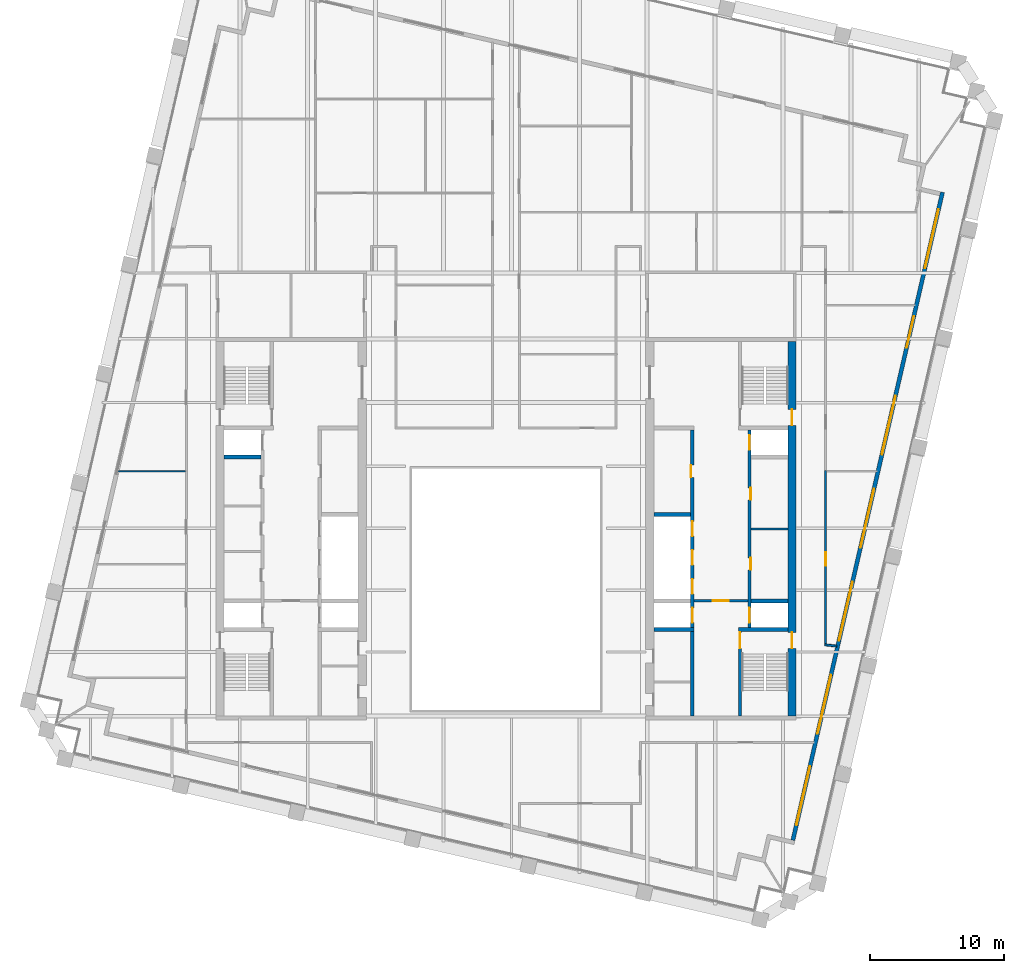
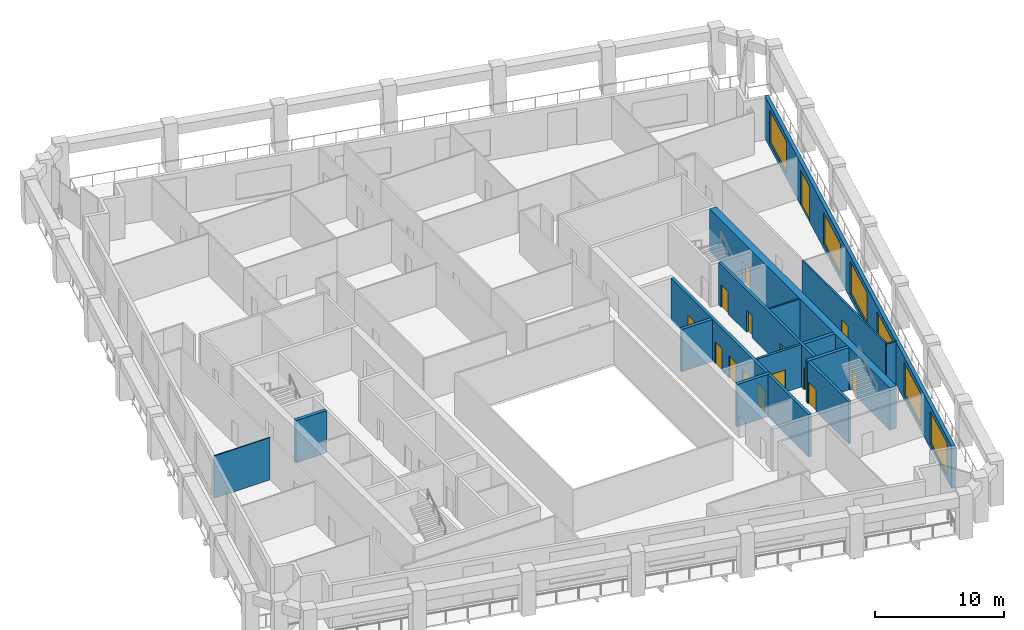
# One storey, part 5 of 9: 15 doors, 15 walls, 6 windows, 21 openings.
"""IFC4 building model written with IfcOpenShell, lengths in metres."""

import ifcopenshell
import ifcopenshell.guid

model = None  # the IFC model being written
_history = None  # IfcOwnerHistory: only IFC2X3 demands one
_inside = {}  # id of a spatial element -> (the spatial element, [elements in it])
_under = {}  # id of a project, library or spatial element -> (it, [spatial elements below it])
_declared = {}  # id of a project -> (the project, [libraries it declares])
_typed = {}  # id of a type object -> (the type object, [elements of that type])
_made_of = {}  # id of a material, layer set ... -> (it, [elements and type objects made of it])


def new_model(schema):
    """Start an empty IFC model of exactly this schema.

    Asked for "IFC4X3", IfcOpenShell would pick the latest addendum, in which some entities
    have other attributes; the version numbers below select the first issue.
    IFC2X3 requires an IfcOwnerHistory on every rooted entity: one is made here for all.
    """
    global model, _history
    if schema == "IFC4X3":
        model = ifcopenshell.file(schema_version=(4, 3, 0, 0))
    else:
        model = ifcopenshell.file(schema=schema)
    _inside.clear()
    _under.clear()
    _declared.clear()
    _typed.clear()
    _made_of.clear()
    _history = None
    if model.schema == "IFC2X3":
        org = make("IfcOrganization", Name="unknown")
        user = make(
            "IfcPersonAndOrganization",
            ThePerson=make("IfcPerson", FamilyName="unknown"),
            TheOrganization=org,
        )
        app = make(
            "IfcApplication",
            ApplicationDeveloper=org,
            Version="unknown",
            ApplicationFullName="unknown",
            ApplicationIdentifier="unknown",
        )
        _history = make(
            "IfcOwnerHistory",
            OwningUser=user,
            OwningApplication=app,
            ChangeAction="ADDED",
            CreationDate=0,
        )
    return model


def make(cls, **values):
    """One entity of the class cls with the attributes given. An attribute that is None is left unset."""
    return model.create_entity(
        cls, **{name: value for name, value in values.items() if value is not None}
    )


def rooted(cls, **values):
    """An entity with a GlobalId (a new one), such as an element, a storey or a relation."""
    return make(cls, GlobalId=ifcopenshell.guid.new(), OwnerHistory=_history, **values)


def si_unit(unit_type, name, prefix=None):
    """IfcSIUnit, for example si_unit("LENGTHUNIT", "METRE", prefix="MILLI")."""
    return make("IfcSIUnit", UnitType=unit_type, Prefix=prefix, Name=name)


def assignment(units):
    """IfcUnitAssignment: the units of a project."""
    return None if units is None else make("IfcUnitAssignment", Units=units)


def point(xyz):
    """IfcCartesianPoint."""
    return None if xyz is None else make("IfcCartesianPoint", Coordinates=xyz)


def direction(xyz):
    """IfcDirection."""
    return None if xyz is None else make("IfcDirection", DirectionRatios=xyz)


def frame(location, z_axis=None, x_axis=None):
    """IfcAxis2Placement3D, a coordinate frame: its origin and axes. An axis left out is left unset."""
    return make(
        "IfcAxis2Placement3D",
        Location=point(location),
        Axis=direction(z_axis),
        RefDirection=direction(x_axis),
    )


def frame_2d(location, x_axis=None):
    """IfcAxis2Placement2D, a coordinate frame in the plane: its origin and x axis."""
    return make(
        "IfcAxis2Placement2D", Location=point(location), RefDirection=direction(x_axis)
    )


def origin():
    """The frame at (0, 0, 0) with its axes left unset."""
    return frame((0.0, 0.0, 0.0))


def place(relative_to, where):
    """IfcLocalPlacement: puts the frame where relative to a parent placement (None: the world)."""
    return make(
        "IfcLocalPlacement", PlacementRelTo=relative_to, RelativePlacement=where
    )


def context(
    kind, dimensions, precision=None, world=None, true_north=None, identifier=None
):
    """IfcGeometricRepresentationContext, for example the 3D "Model" context."""
    return make(
        "IfcGeometricRepresentationContext",
        ContextIdentifier=identifier,
        ContextType=kind,
        CoordinateSpaceDimension=dimensions,
        Precision=precision,
        WorldCoordinateSystem=world,
        TrueNorth=true_north,
    )


def subcontext(parent, identifier, kind, view, scale=None):
    """IfcGeometricRepresentationSubContext, for example "Body" below "Model"."""
    return make(
        "IfcGeometricRepresentationSubContext",
        ContextIdentifier=identifier,
        ContextType=kind,
        ParentContext=parent,
        TargetScale=scale,
        TargetView=view,
    )


def project(units=None, contexts=None):
    """IfcProject with its units and contexts."""
    return rooted(
        "IfcProject",
        Name="project",
        RepresentationContexts=contexts,
        UnitsInContext=assignment(units),
    )


def spatial(cls, under=None, at=None, **own):
    """A site, building, storey or space (cls), placed at a placement, below another one or the project."""
    s = rooted(cls, ObjectPlacement=at, **own)
    if under is not None:
        _under.setdefault(under.id(), (under, []))[1].append(s)
    return s


def profile(cls, at=None, kind="AREA", **sizes):
    """A parametric profile (cls). Its sizes go by their IFC names, for example OverallWidth=200.0."""
    return make(cls, ProfileType=kind, Position=at, **sizes)


def rectangle(**sizes):
    """IfcRectangleProfileDef."""
    return profile("IfcRectangleProfileDef", **sizes)


def extrude(swept, where, along, depth):
    """IfcExtrudedAreaSolid: the profile swept, set in the frame where, extruded along a direction by depth."""
    return make(
        "IfcExtrudedAreaSolid",
        SweptArea=swept,
        Position=where,
        ExtrudedDirection=direction(along),
        Depth=depth,
    )


def shape(context_of_items, identifier, shape_type, items):
    """IfcShapeRepresentation: the items that make up one representation, for example the "Body"."""
    return make(
        "IfcShapeRepresentation",
        ContextOfItems=context_of_items,
        RepresentationIdentifier=identifier,
        RepresentationType=shape_type,
        Items=items,
    )


def material(Name=None, Category=None):
    """IfcMaterial."""
    return make("IfcMaterial", Name=Name, Category=Category)


def layer(
    of_material, thickness, ventilated=None, Name=None, Category=None, Priority=None
):
    """IfcMaterialLayer: one layer of a wall or slab, of a material (None: an air gap)."""
    return make(
        "IfcMaterialLayer",
        Material=of_material,
        LayerThickness=thickness,
        IsVentilated=ventilated,
        Name=Name,
        Category=Category,
        Priority=Priority,
    )


def layer_set(layers, Name=None):
    """IfcMaterialLayerSet."""
    return make("IfcMaterialLayerSet", MaterialLayers=layers, LayerSetName=Name)


def made_of(thing, what):
    """Note that an element or type object is made of a material, layer set ...; save() writes the relation."""
    if what is not None:
        _made_of.setdefault(what.id(), (what, []))[1].append(thing)
    return thing


def type_object(cls, material=None, **own):
    """A type object (cls), such as IfcWallType, which elements share."""
    return made_of(rooted(cls, **own), material)


def element(
    cls,
    number,
    at=None,
    inside=None,
    cuts=None,
    type_object=None,
    material=None,
    context=None,
    identifier="Body",
    shape_type=None,
    held_by="IfcProductDefinitionShape",
    body=None,
    shapes=None,
    **own,
):
    """One element of the class cls, such as IfcWall. Its Tag is "e" and its number.

    at: its placement. inside: the storey or other place that contains it. cuts: it is an
    opening in that element (IfcRelVoidsElement). A single representation is given by context,
    identifier, shape_type and body (its items); several are given by shapes. held_by: the class
    of the entity that holds the representations. save() writes the other relations.
    """
    e = rooted(cls, Tag="e%d" % number, ObjectPlacement=at, **own)
    if body is not None:
        shapes = [shape(context, identifier, shape_type, body)]
    if shapes is not None:
        e.Representation = make(held_by, Representations=shapes)
    if inside is not None:
        _inside.setdefault(inside.id(), (inside, []))[1].append(e)
    if cuts is not None:
        rooted(
            "IfcRelVoidsElement", RelatingBuildingElement=cuts, RelatedOpeningElement=e
        )
    if type_object is not None:
        _typed.setdefault(type_object.id(), (type_object, []))[1].append(e)
    return made_of(e, material)


def fill(opening, filler):
    """IfcRelFillsElement: the door or window that sits in an opening."""
    return rooted(
        "IfcRelFillsElement",
        RelatingOpeningElement=opening,
        RelatedBuildingElement=filler,
    )


def aggregate(whole, parts):
    """IfcRelAggregates: a whole, such as a stair, and the parts it consists of."""
    return rooted("IfcRelAggregates", RelatingObject=whole, RelatedObjects=parts)


def save(model, path):
    """Write the relations noted so far, then the file.

    IfcRelAggregates (storeys below a building ...), IfcRelContainedInSpatialStructure (elements
    in a storey), IfcRelDefinesByType, IfcRelAssociatesMaterial and IfcRelDeclares: one each for
    every whole, place, type object, material and project.
    """
    for whole, parts in _under.values():
        aggregate(whole, parts)
    for where, things in _inside.values():
        rooted(
            "IfcRelContainedInSpatialStructure",
            RelatedElements=things,
            RelatingStructure=where,
        )
    for kind, things in _typed.values():
        rooted("IfcRelDefinesByType", RelatedObjects=things, RelatingType=kind)
    for what, things in _made_of.values():
        rooted("IfcRelAssociatesMaterial", RelatedObjects=things, RelatingMaterial=what)
    for by, libraries in _declared.values():
        rooted("IfcRelDeclares", RelatingContext=by, RelatedDefinitions=libraries)
    model.write(path)


model = new_model("IFC4")

# Units and contexts
model_context = context("Model", 3, precision=1e-05, world=origin(), true_north=direction((0.0, 1.0)))
body_context = subcontext(model_context, "Body", "Model", "MODEL_VIEW")
ifc_project = project(units=[si_unit("LENGTHUNIT", "METRE"), si_unit("AREAUNIT", "SQUARE_METRE"), si_unit("VOLUMEUNIT", "CUBIC_METRE"), si_unit("PLANEANGLEUNIT", "RADIAN"), si_unit("MASSUNIT", "GRAM", prefix="KILO")], contexts=[model_context])

# Site, building, storey
site_placement = place(None, origin())
site = spatial("IfcSite", under=ifc_project, at=site_placement, CompositionType="ELEMENT")
building_placement = place(site_placement, origin())
building = spatial("IfcBuilding", under=site, at=building_placement, Name="Ogive Exchange Tower", CompositionType="ELEMENT")
storey_placement = place(building_placement, frame((0.0, 0.0, 276.60009765625)))
storey = spatial("IfcBuildingStorey", under=building, at=storey_placement, Name="L60", CompositionType="ELEMENT", Elevation=276.60009765625)

# Walls
ifc_material_1 = material(Name="Gypsum board partition")
ifc_layer_1 = layer(ifc_material_1, 0.14990234375)
ifc_layer_set_1 = layer_set([ifc_layer_1], Name="Core room partition 150 gypsum")
wall_type_1 = type_object("IfcWallType", Name="Core room partition 150 gypsum", PredefinedType="PARTITIONING", material=ifc_layer_set_1)
wall_1_placement = place(storey_placement, frame((18.25, 11.5, 0.0), z_axis=(0.0, 0.0, 1.0), x_axis=(1.0, 0.0, 0.0)))
element("IfcWall", 1, at=wall_1_placement, inside=storey, type_object=wall_type_1, Name="E row A bay partition 1-1", PredefinedType="PARTITIONING", context=body_context, shape_type="SweptSolid", body=[
    extrude(rectangle(XDim=2.75, YDim=0.14990234375, at=frame_2d((1.375, 0.0))), origin(), (0.0, 0.0, 1.0), 4.0),
])
ifc_material_2 = material(Name="Fire partition EI 60 150")
ifc_layer_2 = layer(ifc_material_2, 0.14990234375)
ifc_layer_set_2 = layer_set([ifc_layer_2], Name="Fire partition EI 60 150")
wall_type_2 = type_object("IfcWallType", Name="Fire partition EI 60 150", PredefinedType="PARTITIONING", material=ifc_layer_set_2)
wall_2_placement = place(storey_placement, frame((23.72509765625, 2.868896484375, 0.0), z_axis=(0.0, 0.0, 1.0), x_axis=(0.993330469257, -0.115302119865, 0.0)))
element("IfcWall", 2, at=wall_2_placement, inside=storey, type_object=wall_type_2, Name="L60-PWL-065", PredefinedType="PARTITIONING", context=body_context, shape_type="SweptSolid", body=[
    extrude(rectangle(XDim=0.902099609375, YDim=0.14990234375, at=frame_2d((0.451171875, 0.0))), origin(), (0.0, 0.0, 1.0), 4.0),
])

# Wall, opening, door
wall_3_placement = place(storey_placement, frame((23.800048828125, 15.840087890625, 0.0), z_axis=(0.0, 0.0, 1.0), x_axis=(0.0, -1.0, 0.0)))
wall_3 = element("IfcWall", 3, at=wall_3_placement, inside=storey, type_object=wall_type_2, Name="L60-PWL-066", PredefinedType="PARTITIONING", context=body_context, shape_type="SweptSolid", body=[
    extrude(rectangle(XDim=12.905029296875, YDim=0.14990234375, at=frame_2d((6.45263671875, 0.0))), origin(), (0.0, 0.0, 1.0), 4.0),
])
opening_1_placement = place(wall_3_placement, frame((6.080078125, 0.0, 0.0)))
opening_1 = element("IfcOpeningElement", 4, at=opening_1_placement, cuts=wall_3, Name="Opening L60-I10", PredefinedType="OPENING", context=body_context, shape_type="SweptSolid", body=[
    extrude(rectangle(XDim=1.0, YDim=2.10009765625, at=frame_2d((0.5, 1.050048828125))), frame((0.0, 0.0849609375, 0.0), z_axis=(0.0, -1.0, 0.0), x_axis=(1.0, 0.0, 0.0)), (0.0, 0.0, 1.0), 0.169921875),
])
ifc_material_3 = material(Name="Fire door FD 30S 1000 x 2100")
door_type_1 = type_object("IfcDoorType", Name="Fire door FD 30S 1000 x 2100", OperationType="NOTDEFINED", PredefinedType="DOOR", material=ifc_material_3)
door_1_placement = place(opening_1_placement, origin())
door_1 = element("IfcDoor", 5, at=door_1_placement, inside=storey, type_object=door_type_1, Name="L60-IDR-010", ObjectType="DT3", OperationType="SINGLE_SWING_LEFT", OverallHeight=2.10009765625, OverallWidth=1.0, PredefinedType="DOOR", context=body_context, shape_type="SweptSolid", body=[
    extrude(rectangle(XDim=1.0, YDim=2.10009765625, at=frame_2d((0.5, 1.050048828125))), frame((0.0, 0.02490234375, 0.0), z_axis=(0.0, -1.0, 0.0), x_axis=(1.0, 0.0, 0.0)), (0.0, 0.0, 1.0), 0.050048828125),
])
fill(opening_1, door_1)

# Wall, openings, door, windows
ifc_material_4 = material(Name="Precast concrete C40/50", Category="concrete")
ifc_layer_3 = layer(ifc_material_4, 0.300048828125)
ifc_layer_set_3 = layer_set([ifc_layer_3], Name="Limestone-faced wall 300")
wall_type_3 = type_object("IfcWallType", Name="Limestone-faced wall 300", PredefinedType="STANDARD", material=ifc_layer_set_3)
wall_4_placement = place(storey_placement, frame((21.35888671875, -11.67822265625, 0.0), z_axis=(0.0, 0.0, 1.0), x_axis=(0.224949198343, 0.974370493275, 0.0)))
wall_4 = element("IfcWall", 6, at=wall_4_placement, inside=storey, type_object=wall_type_3, Name="External wall E2", PredefinedType="STANDARD", context=body_context, shape_type="SweptSolid", body=[
    extrude(rectangle(XDim=49.5, YDim=0.300048828125, at=frame_2d((24.75, 0.0))), origin(), (0.0, 0.0, 1.0), 4.0),
])
opening_2_placement = place(wall_4_placement, frame((1.156982421875, 0.0, 0.449951171875)))
opening_2 = element("IfcOpeningElement", 7, at=opening_2_placement, cuts=wall_4, Name="Opening W1", PredefinedType="OPENING", context=body_context, shape_type="SweptSolid", body=[
    extrude(rectangle(XDim=4.5, YDim=3.050048828125, at=frame_2d((2.25, 1.52490234375))), frame((0.0, 0.159912109375, 0.0), z_axis=(0.0, -1.0, 0.0), x_axis=(1.0, 0.0, 0.0)), (0.0, 0.0, 1.0), 0.320068359375),
])
opening_3_placement = place(wall_4_placement, frame((8.121337890625, 0.0, 0.449951171875)))
opening_3 = element("IfcOpeningElement", 8, at=opening_3_placement, cuts=wall_4, Name="Opening W1", PredefinedType="OPENING", context=body_context, shape_type="SweptSolid", body=[
    extrude(rectangle(XDim=4.5, YDim=3.050048828125, at=frame_2d((2.25, 1.52490234375))), frame((0.0, 0.159912109375, 0.0), z_axis=(0.0, -1.0, 0.0), x_axis=(1.0, 0.0, 0.0)), (0.0, 0.0, 1.0), 0.320068359375),
])
opening_4_placement = place(wall_4_placement, frame((15.235595703125, 0.0, 0.449951171875)))
opening_4 = element("IfcOpeningElement", 9, at=opening_4_placement, cuts=wall_4, Name="Opening W1", PredefinedType="OPENING", context=body_context, shape_type="SweptSolid", body=[
    extrude(rectangle(XDim=4.5, YDim=3.050048828125, at=frame_2d((2.25, 1.52490234375))), frame((0.0, 0.159912109375, 0.0), z_axis=(0.0, -1.0, 0.0), x_axis=(1.0, 0.0, 0.0)), (0.0, 0.0, 1.0), 0.320068359375),
])
opening_5_placement = place(wall_4_placement, frame((22.35009765625, 0.0, 0.449951171875)))
opening_5 = element("IfcOpeningElement", 10, at=opening_5_placement, cuts=wall_4, Name="Opening W1", PredefinedType="OPENING", context=body_context, shape_type="SweptSolid", body=[
    extrude(rectangle(XDim=4.5, YDim=3.050048828125, at=frame_2d((2.25, 1.52490234375))), frame((0.0, 0.159912109375, 0.0), z_axis=(0.0, -1.0, 0.0), x_axis=(1.0, 0.0, 0.0)), (0.0, 0.0, 1.0), 0.320068359375),
])
opening_6_placement = place(wall_4_placement, frame((29.464111328125, 0.0, 0.449951171875)))
opening_6 = element("IfcOpeningElement", 11, at=opening_6_placement, cuts=wall_4, Name="Opening W1B", PredefinedType="OPENING", context=body_context, shape_type="SweptSolid", body=[
    extrude(rectangle(XDim=4.5, YDim=2.949951171875, at=frame_2d((2.25, 1.47509765625))), frame((0.0, 0.159912109375, 0.0), z_axis=(0.0, -1.0, 0.0), x_axis=(1.0, 0.0, 0.0)), (0.0, 0.0, 1.0), 0.320068359375),
])
opening_7_placement = place(wall_4_placement, frame((37.62841796875, 0.0, 0.0)))
opening_7 = element("IfcOpeningElement", 12, at=opening_7_placement, cuts=wall_4, Name="Opening D1C", PredefinedType="OPENING", context=body_context, shape_type="SweptSolid", body=[
    extrude(rectangle(XDim=2.39990234375, YDim=3.324951171875, at=frame_2d((1.199951171875, 1.66259765625))), frame((0.0, 0.159912109375, 0.0), z_axis=(0.0, -1.0, 0.0), x_axis=(1.0, 0.0, 0.0)), (0.0, 0.0, 1.0), 0.320068359375),
])
opening_8_placement = place(wall_4_placement, frame((43.69287109375, 0.0, 0.449951171875)))
opening_8 = element("IfcOpeningElement", 13, at=opening_8_placement, cuts=wall_4, Name="Opening W1", PredefinedType="OPENING", context=body_context, shape_type="SweptSolid", body=[
    extrude(rectangle(XDim=4.5, YDim=3.050048828125, at=frame_2d((2.25, 1.52490234375))), frame((0.0, 0.159912109375, 0.0), z_axis=(0.0, -1.0, 0.0), x_axis=(1.0, 0.0, 0.0)), (0.0, 0.0, 1.0), 0.320068359375),
])
ifc_material_5 = material(Name="Clear glass in bronze frame", Category="glass")
door_type_2 = type_object("IfcDoorType", Name="Sliding loggia door 2400 x 3325", OperationType="DOUBLE_DOOR_SLIDING", PredefinedType="DOOR", material=ifc_material_5)
door_2_placement = place(opening_7_placement, origin())
door_2 = element("IfcDoor", 14, at=door_2_placement, inside=storey, type_object=door_type_2, Name="Loggia door E05", OperationType="DOUBLE_DOOR_SLIDING", OverallHeight=3.324951171875, OverallWidth=2.39990234375, PredefinedType="DOOR", context=body_context, shape_type="SweptSolid", body=[
    extrude(rectangle(XDim=2.39990234375, YDim=3.324951171875, at=frame_2d((1.199951171875, 1.66259765625))), frame((0.0, 0.02490234375, 0.0), z_axis=(0.0, -1.0, 0.0), x_axis=(1.0, 0.0, 0.0)), (0.0, 0.0, 1.0), 0.050048828125),
])
fill(opening_7, door_2)
window_type_1 = type_object("IfcWindowType", Name="Twin lancet window 4500 x 2950", PartitioningType="DOUBLE_PANEL_VERTICAL", PredefinedType="WINDOW", material=ifc_material_5)
window_1_placement = place(opening_6_placement, origin())
window_1 = element("IfcWindow", 15, at=window_1_placement, inside=storey, type_object=window_type_1, Name="Window E04", OverallHeight=2.949951171875, OverallWidth=4.5, PartitioningType="DOUBLE_PANEL_VERTICAL", PredefinedType="WINDOW", context=body_context, shape_type="SweptSolid", body=[
    extrude(rectangle(XDim=4.5, YDim=2.949951171875, at=frame_2d((2.25, 1.47509765625))), frame((0.0, 0.030029296875, 0.0), z_axis=(0.0, -1.0, 0.0), x_axis=(1.0, 0.0, 0.0)), (0.0, 0.0, 1.0), 0.06005859375),
])
fill(opening_6, window_1)
window_type_2 = type_object("IfcWindowType", Name="Twin lancet window 4500 x 3050", PartitioningType="DOUBLE_PANEL_VERTICAL", PredefinedType="WINDOW", material=ifc_material_5)
window_2_placement = place(opening_2_placement, origin())
window_2 = element("IfcWindow", 16, at=window_2_placement, inside=storey, type_object=window_type_2, Name="Window E00", OverallHeight=3.050048828125, OverallWidth=4.5, PartitioningType="DOUBLE_PANEL_VERTICAL", PredefinedType="WINDOW", context=body_context, shape_type="SweptSolid", body=[
    extrude(rectangle(XDim=4.5, YDim=3.050048828125, at=frame_2d((2.25, 1.52490234375))), frame((0.0, 0.030029296875, 0.0), z_axis=(0.0, -1.0, 0.0), x_axis=(1.0, 0.0, 0.0)), (0.0, 0.0, 1.0), 0.06005859375),
])
fill(opening_2, window_2)
window_3_placement = place(opening_3_placement, origin())
window_3 = element("IfcWindow", 17, at=window_3_placement, inside=storey, type_object=window_type_2, Name="Window E01", OverallHeight=3.050048828125, OverallWidth=4.5, PartitioningType="DOUBLE_PANEL_VERTICAL", PredefinedType="WINDOW", context=body_context, shape_type="SweptSolid", body=[
    extrude(rectangle(XDim=4.5, YDim=3.050048828125, at=frame_2d((2.25, 1.52490234375))), frame((0.0, 0.030029296875, 0.0), z_axis=(0.0, -1.0, 0.0), x_axis=(1.0, 0.0, 0.0)), (0.0, 0.0, 1.0), 0.06005859375),
])
fill(opening_3, window_3)
window_4_placement = place(opening_4_placement, origin())
window_4 = element("IfcWindow", 18, at=window_4_placement, inside=storey, type_object=window_type_2, Name="Window E02", OverallHeight=3.050048828125, OverallWidth=4.5, PartitioningType="DOUBLE_PANEL_VERTICAL", PredefinedType="WINDOW", context=body_context, shape_type="SweptSolid", body=[
    extrude(rectangle(XDim=4.5, YDim=3.050048828125, at=frame_2d((2.25, 1.52490234375))), frame((0.0, 0.030029296875, 0.0), z_axis=(0.0, -1.0, 0.0), x_axis=(1.0, 0.0, 0.0)), (0.0, 0.0, 1.0), 0.06005859375),
])
fill(opening_4, window_4)
window_5_placement = place(opening_5_placement, origin())
window_5 = element("IfcWindow", 19, at=window_5_placement, inside=storey, type_object=window_type_2, Name="Window E03", OverallHeight=3.050048828125, OverallWidth=4.5, PartitioningType="DOUBLE_PANEL_VERTICAL", PredefinedType="WINDOW", context=body_context, shape_type="SweptSolid", body=[
    extrude(rectangle(XDim=4.5, YDim=3.050048828125, at=frame_2d((2.25, 1.52490234375))), frame((0.0, 0.030029296875, 0.0), z_axis=(0.0, -1.0, 0.0), x_axis=(1.0, 0.0, 0.0)), (0.0, 0.0, 1.0), 0.06005859375),
])
fill(opening_5, window_5)
window_6_placement = place(opening_8_placement, origin())
window_6 = element("IfcWindow", 20, at=window_6_placement, inside=storey, type_object=window_type_2, Name="Window E06", OverallHeight=3.050048828125, OverallWidth=4.5, PartitioningType="DOUBLE_PANEL_VERTICAL", PredefinedType="WINDOW", context=body_context, shape_type="SweptSolid", body=[
    extrude(rectangle(XDim=4.5, YDim=3.050048828125, at=frame_2d((2.25, 1.52490234375))), frame((0.0, 0.030029296875, 0.0), z_axis=(0.0, -1.0, 0.0), x_axis=(1.0, 0.0, 0.0)), (0.0, 0.0, 1.0), 0.06005859375),
])
fill(opening_8, window_6)

# Wall
ifc_material_6 = material(Name="Partition 100 gypsum")
ifc_layer_4 = layer(ifc_material_6, 0.10009765625)
ifc_layer_set_4 = layer_set([ifc_layer_4], Name="Partition 100 gypsum")
wall_type_4 = type_object("IfcWallType", Name="Partition 100 gypsum", PredefinedType="PARTITIONING", material=ifc_layer_set_4)
wall_5_placement = place(storey_placement, frame((-23.875, 15.7900390625, 0.0), z_axis=(0.0, 0.0, 1.0), x_axis=(-1.0, 0.0, 0.0)))
element("IfcWall", 21, at=wall_5_placement, inside=storey, type_object=wall_type_4, Name="L60-PWL-007", PredefinedType="PARTITIONING", context=body_context, shape_type="SweptSolid", body=[
    extrude(rectangle(XDim=5.0048828125, YDim=0.10009765625, at=frame_2d((2.50244140625, 0.0))), origin(), (0.0, 0.0, 1.0), 4.0),
])

# Wall, opening, door
ifc_material_7 = material(Name="Concrete C70/85", Category="concrete")
ifc_layer_5 = layer(ifc_material_7, 0.199951171875)
ifc_layer_set_5 = layer_set([ifc_layer_5], Name="RC core wall 200 C70/85")
wall_type_5 = type_object("IfcWallType", Name="RC core wall 200 C70/85", PredefinedType="SHEAR", material=ifc_layer_set_5)
wall_6_placement = place(storey_placement, frame((14.0, 6.142822265625, 0.0), z_axis=(0.0, 0.0, 1.0), x_axis=(1.0, 0.0, 0.0)))
wall_6 = element("IfcWall", 22, at=wall_6_placement, inside=storey, type_object=wall_type_5, Name="E firefighting lobby wall", PredefinedType="SHEAR", context=body_context, shape_type="SweptSolid", body=[
    extrude(rectangle(XDim=4.0, YDim=0.199951171875, at=frame_2d((2.0, 0.0))), origin(), (0.0, 0.0, 1.0), 4.0),
])
opening_9_placement = place(wall_6_placement, frame((1.39990234375, 0.0, 0.0)))
opening_9 = element("IfcOpeningElement", 23, at=opening_9_placement, cuts=wall_6, Name="Opening L60-C30", PredefinedType="OPENING", context=body_context, shape_type="SweptSolid", body=[
    extrude(rectangle(XDim=1.199951171875, YDim=2.10009765625, at=frame_2d((0.60009765625, 1.050048828125))), frame((0.0, 0.10986328125, 0.0), z_axis=(0.0, -1.0, 0.0), x_axis=(1.0, 0.0, 0.0)), (0.0, 0.0, 1.0), 0.219970703125),
])
ifc_material_8 = material(Name="Steel fire door", Category="steel")
door_type_3 = type_object("IfcDoorType", Name="Firefighting lobby door FD60 1200 x 2100", OperationType="NOTDEFINED", PredefinedType="DOOR", material=ifc_material_8)
door_3_placement = place(opening_9_placement, frame((1.199951171875, 0.0, 0.0), z_axis=(0.0, 0.0, 1.0), x_axis=(-1.0, 0.0, 0.0)))
door_3 = element("IfcDoor", 24, at=door_3_placement, inside=storey, type_object=door_type_3, Name="Firefighting lobby door", ObjectType="CD3", OperationType="SINGLE_SWING_RIGHT", OverallHeight=2.10009765625, OverallWidth=1.199951171875, PredefinedType="DOOR", context=body_context, shape_type="SweptSolid", body=[
    extrude(rectangle(XDim=1.199951171875, YDim=2.10009765625, at=frame_2d((0.60009765625, 1.050048828125))), frame((0.0, 0.02490234375, 0.0), z_axis=(0.0, -1.0, 0.0), x_axis=(1.0, 0.0, 0.0)), (0.0, 0.0, 1.0), 0.050048828125),
])
fill(opening_9, door_3)

ifc_layer_6 = layer(ifc_material_7, 0.25)
ifc_layer_set_6 = layer_set([ifc_layer_6], Name="RC core wall 250 C70/85")
wall_type_6 = type_object("IfcWallType", Name="RC core wall 250 C70/85", PredefinedType="SHEAR", material=ifc_layer_set_6)
wall_7_placement = place(storey_placement, frame((17.425048828125, -2.449951171875, 0.0), z_axis=(0.0, 0.0, 1.0), x_axis=(0.0, 1.0, 0.0)))
wall_7 = element("IfcWall", 25, at=wall_7_placement, inside=storey, type_object=wall_type_6, Name="E stair S front wall", PredefinedType="SHEAR", context=body_context, shape_type="SweptSolid", body=[
    extrude(rectangle(XDim=6.300048828125, YDim=0.25, at=frame_2d((3.14990234375, 0.0))), origin(), (0.0, 0.0, 1.0), 4.0),
])
opening_10_placement = place(wall_7_placement, frame((5.050048828125, 0.0, 0.0)))
opening_10 = element("IfcOpeningElement", 26, at=opening_10_placement, cuts=wall_7, Name="Opening L60-C32", PredefinedType="OPENING", context=body_context, shape_type="SweptSolid", body=[
    extrude(rectangle(XDim=1.199951171875, YDim=2.10009765625, at=frame_2d((0.60009765625, 1.050048828125))), frame((0.0, 0.135009765625, 0.0), z_axis=(0.0, -1.0, 0.0), x_axis=(1.0, 0.0, 0.0)), (0.0, 0.0, 1.0), 0.27001953125),
])
door_type_4 = type_object("IfcDoorType", Name="Stair door FD90 1200 x 2100", OperationType="NOTDEFINED", PredefinedType="DOOR", material=ifc_material_8)
door_4_placement = place(opening_10_placement, frame((1.199951171875, 0.0, 0.0), z_axis=(0.0, 0.0, 1.0), x_axis=(-1.0, 0.0, 0.0)))
door_4 = element("IfcDoor", 27, at=door_4_placement, inside=storey, type_object=door_type_4, Name="Stair door", ObjectType="CD5", OperationType="SINGLE_SWING_RIGHT", OverallHeight=2.10009765625, OverallWidth=1.199951171875, PredefinedType="DOOR", context=body_context, shape_type="SweptSolid", body=[
    extrude(rectangle(XDim=1.199951171875, YDim=2.10009765625, at=frame_2d((0.60009765625, 1.050048828125))), frame((0.0, 0.02490234375, 0.0), z_axis=(0.0, -1.0, 0.0), x_axis=(1.0, 0.0, 0.0)), (0.0, 0.0, 1.0), 0.050048828125),
])
fill(opening_10, door_4)

# Wall, openings, doors
wall_8_placement = place(storey_placement, frame((18.125, 4.14990234375, 0.0), z_axis=(0.0, 0.0, 1.0), x_axis=(0.0, 1.0, 0.0)))
wall_8 = element("IfcWall", 28, at=wall_8_placement, inside=storey, type_object=wall_type_6, Name="E row A front wall", PredefinedType="SHEAR", context=body_context, shape_type="SweptSolid", body=[
    extrude(rectangle(XDim=14.7001953125, YDim=0.25, at=frame_2d((7.35009765625, 0.0))), origin(), (0.0, 0.0, 1.0), 4.0),
])
opening_11_placement = place(wall_8_placement, frame((4.29638671875, 0.0, 0.0)))
opening_11 = element("IfcOpeningElement", 29, at=opening_11_placement, cuts=wall_8, Name="Opening L60-C21", PredefinedType="OPENING", context=body_context, shape_type="SweptSolid", body=[
    extrude(rectangle(XDim=0.89990234375, YDim=2.10009765625, at=frame_2d((0.449951171875, 1.050048828125))), frame((0.0, 0.135009765625, 0.0), z_axis=(0.0, -1.0, 0.0), x_axis=(1.0, 0.0, 0.0)), (0.0, 0.0, 1.0), 0.27001953125),
])
opening_12_placement = place(wall_8_placement, frame((9.503662109375, 0.0, 0.0)))
opening_12 = element("IfcOpeningElement", 30, at=opening_12_placement, cuts=wall_8, Name="Opening L60-C22", PredefinedType="OPENING", context=body_context, shape_type="SweptSolid", body=[
    extrude(rectangle(XDim=0.89990234375, YDim=2.10009765625, at=frame_2d((0.449951171875, 1.050048828125))), frame((0.0, 0.135009765625, 0.0), z_axis=(0.0, -1.0, 0.0), x_axis=(1.0, 0.0, 0.0)), (0.0, 0.0, 1.0), 0.27001953125),
])
opening_13_placement = place(wall_8_placement, frame((0.371337890625, 0.0, 0.0)))
opening_13 = element("IfcOpeningElement", 31, at=opening_13_placement, cuts=wall_8, Name="Opening L60-C23", PredefinedType="OPENING", context=body_context, shape_type="SweptSolid", body=[
    extrude(rectangle(XDim=1.10009765625, YDim=2.10009765625, at=frame_2d((0.550048828125, 1.050048828125))), frame((0.0, 0.135009765625, 0.0), z_axis=(0.0, -1.0, 0.0), x_axis=(1.0, 0.0, 0.0)), (0.0, 0.0, 1.0), 0.27001953125),
])
opening_14_placement = place(wall_8_placement, frame((13.228515625, 0.0, 0.0)))
opening_14 = element("IfcOpeningElement", 32, at=opening_14_placement, cuts=wall_8, Name="Opening L60-C24", PredefinedType="OPENING", context=body_context, shape_type="SweptSolid", body=[
    extrude(rectangle(XDim=1.10009765625, YDim=2.10009765625, at=frame_2d((0.550048828125, 1.050048828125))), frame((0.0, 0.135009765625, 0.0), z_axis=(0.0, -1.0, 0.0), x_axis=(1.0, 0.0, 0.0)), (0.0, 0.0, 1.0), 0.27001953125),
])
ifc_material_9 = material(Name="Stainless steel", Category="steel")
door_type_5 = type_object("IfcDoorType", Name="Lift landing door FD90 1100 x 2100", OperationType="SLIDING_TO_LEFT", PredefinedType="DOOR", material=ifc_material_9)
door_5_placement = place(opening_13_placement, origin())
door_5 = element("IfcDoor", 33, at=door_5_placement, inside=storey, type_object=door_type_5, Name="Lift landing door FF2", ObjectType="LD", OperationType="SLIDING_TO_LEFT", OverallHeight=2.10009765625, OverallWidth=1.10009765625, PredefinedType="DOOR", context=body_context, shape_type="SweptSolid", body=[
    extrude(rectangle(XDim=1.10009765625, YDim=2.10009765625, at=frame_2d((0.550048828125, 1.050048828125))), frame((0.0, 0.02490234375, 0.0), z_axis=(0.0, -1.0, 0.0), x_axis=(1.0, 0.0, 0.0)), (0.0, 0.0, 1.0), 0.050048828125),
])
fill(opening_13, door_5)
door_6_placement = place(opening_14_placement, origin())
door_6 = element("IfcDoor", 34, at=door_6_placement, inside=storey, type_object=door_type_5, Name="Lift landing door E-SH2", ObjectType="LD", OperationType="SLIDING_TO_LEFT", OverallHeight=2.10009765625, OverallWidth=1.10009765625, PredefinedType="DOOR", context=body_context, shape_type="SweptSolid", body=[
    extrude(rectangle(XDim=1.10009765625, YDim=2.10009765625, at=frame_2d((0.550048828125, 1.050048828125))), frame((0.0, 0.02490234375, 0.0), z_axis=(0.0, -1.0, 0.0), x_axis=(1.0, 0.0, 0.0)), (0.0, 0.0, 1.0), 0.050048828125),
])
fill(opening_14, door_6)
door_type_6 = type_object("IfcDoorType", Name="Riser door FD60 900 x 2100", OperationType="NOTDEFINED", PredefinedType="DOOR", material=ifc_material_8)
door_7_placement = place(opening_11_placement, frame((0.89990234375, -0.2001953125, 0.0), z_axis=(0.0, 0.0, 1.0), x_axis=(-1.0, 0.0, 0.0)))
door_7 = element("IfcDoor", 35, at=door_7_placement, inside=storey, type_object=door_type_6, Name="Riser door", ObjectType="CD2", OperationType="SINGLE_SWING_LEFT", OverallHeight=2.10009765625, OverallWidth=0.89990234375, PredefinedType="DOOR", context=body_context, shape_type="SweptSolid", body=[
    extrude(rectangle(XDim=0.89990234375, YDim=2.10009765625, at=frame_2d((0.449951171875, 1.050048828125))), frame((0.0, -0.0751953125, 0.0), z_axis=(0.0, -1.0, 0.0), x_axis=(1.0, 0.0, 0.0)), (0.0, 0.0, 1.0), 0.050048828125),
])
fill(opening_11, door_7)
door_8_placement = place(opening_12_placement, frame((0.89990234375, -0.2001953125, 0.0), z_axis=(0.0, 0.0, 1.0), x_axis=(-1.0, 0.0, 0.0)))
door_8 = element("IfcDoor", 36, at=door_8_placement, inside=storey, type_object=door_type_6, Name="Riser door", ObjectType="CD2", OperationType="SINGLE_SWING_LEFT", OverallHeight=2.10009765625, OverallWidth=0.89990234375, PredefinedType="DOOR", context=body_context, shape_type="SweptSolid", body=[
    extrude(rectangle(XDim=0.89990234375, YDim=2.10009765625, at=frame_2d((0.449951171875, 1.050048828125))), frame((0.0, -0.0751953125, 0.0), z_axis=(0.0, -1.0, 0.0), x_axis=(1.0, 0.0, 0.0)), (0.0, 0.0, 1.0), 0.050048828125),
])
fill(opening_12, door_8)

wall_9_placement = place(storey_placement, frame((13.875, -2.449951171875, 0.0), z_axis=(0.0, 0.0, 1.0), x_axis=(0.0, 1.0, 0.0)))
wall_9 = element("IfcWall", 37, at=wall_9_placement, inside=storey, type_object=wall_type_6, Name="E row B front wall", PredefinedType="SHEAR", context=body_context, shape_type="SweptSolid", body=[
    extrude(rectangle(XDim=21.300048828125, YDim=0.25, at=frame_2d((10.64990234375, 0.0))), origin(), (0.0, 0.0, 1.0), 4.0),
])
opening_15_placement = place(wall_9_placement, frame((17.78564453125, 0.0, 0.0)))
opening_15 = element("IfcOpeningElement", 38, at=opening_15_placement, cuts=wall_9, Name="Opening L60-C25", PredefinedType="OPENING", context=body_context, shape_type="SweptSolid", body=[
    extrude(rectangle(XDim=0.89990234375, YDim=2.10009765625, at=frame_2d((0.449951171875, 1.050048828125))), frame((0.0, 0.135009765625, 0.0), z_axis=(0.0, -1.0, 0.0), x_axis=(1.0, 0.0, 0.0)), (0.0, 0.0, 1.0), 0.27001953125),
])
opening_16_placement = place(wall_9_placement, frame((6.971435546875, 0.0, 0.0)))
opening_16 = element("IfcOpeningElement", 39, at=opening_16_placement, cuts=wall_9, Name="Opening L60-C26", PredefinedType="OPENING", context=body_context, shape_type="SweptSolid", body=[
    extrude(rectangle(XDim=1.10009765625, YDim=2.10009765625, at=frame_2d((0.550048828125, 1.050048828125))), frame((0.0, 0.135009765625, 0.0), z_axis=(0.0, -1.0, 0.0), x_axis=(1.0, 0.0, 0.0)), (0.0, 0.0, 1.0), 0.27001953125),
])
opening_17_placement = place(wall_9_placement, frame((9.1142578125, 0.0, 0.0)))
opening_17 = element("IfcOpeningElement", 40, at=opening_17_placement, cuts=wall_9, Name="Opening L60-C27", PredefinedType="OPENING", context=body_context, shape_type="SweptSolid", body=[
    extrude(rectangle(XDim=1.10009765625, YDim=2.10009765625, at=frame_2d((0.550048828125, 1.050048828125))), frame((0.0, 0.135009765625, 0.0), z_axis=(0.0, -1.0, 0.0), x_axis=(1.0, 0.0, 0.0)), (0.0, 0.0, 1.0), 0.27001953125),
])
opening_18_placement = place(wall_9_placement, frame((11.257080078125, 0.0, 0.0)))
opening_18 = element("IfcOpeningElement", 41, at=opening_18_placement, cuts=wall_9, Name="Opening L60-C28", PredefinedType="OPENING", context=body_context, shape_type="SweptSolid", body=[
    extrude(rectangle(XDim=1.10009765625, YDim=2.10009765625, at=frame_2d((0.550048828125, 1.050048828125))), frame((0.0, 0.135009765625, 0.0), z_axis=(0.0, -1.0, 0.0), x_axis=(1.0, 0.0, 0.0)), (0.0, 0.0, 1.0), 0.27001953125),
])
opening_19_placement = place(wall_9_placement, frame((13.39990234375, 0.0, 0.0)))
opening_19 = element("IfcOpeningElement", 42, at=opening_19_placement, cuts=wall_9, Name="Opening L60-C29", PredefinedType="OPENING", context=body_context, shape_type="SweptSolid", body=[
    extrude(rectangle(XDim=1.10009765625, YDim=2.10009765625, at=frame_2d((0.550048828125, 1.050048828125))), frame((0.0, 0.135009765625, 0.0), z_axis=(0.0, -1.0, 0.0), x_axis=(1.0, 0.0, 0.0)), (0.0, 0.0, 1.0), 0.27001953125),
])
door_9_placement = place(opening_16_placement, origin())
door_9 = element("IfcDoor", 43, at=door_9_placement, inside=storey, type_object=door_type_5, Name="Lift landing door SV2", ObjectType="LD", OperationType="SLIDING_TO_LEFT", OverallHeight=2.10009765625, OverallWidth=1.10009765625, PredefinedType="DOOR", context=body_context, shape_type="SweptSolid", body=[
    extrude(rectangle(XDim=1.10009765625, YDim=2.10009765625, at=frame_2d((0.550048828125, 1.050048828125))), frame((0.0, 0.02490234375, 0.0), z_axis=(0.0, -1.0, 0.0), x_axis=(1.0, 0.0, 0.0)), (0.0, 0.0, 1.0), 0.050048828125),
])
fill(opening_16, door_9)
door_10_placement = place(opening_17_placement, origin())
door_10 = element("IfcDoor", 44, at=door_10_placement, inside=storey, type_object=door_type_5, Name="Lift landing door E-M1", ObjectType="LD", OperationType="SLIDING_TO_LEFT", OverallHeight=2.10009765625, OverallWidth=1.10009765625, PredefinedType="DOOR", context=body_context, shape_type="SweptSolid", body=[
    extrude(rectangle(XDim=1.10009765625, YDim=2.10009765625, at=frame_2d((0.550048828125, 1.050048828125))), frame((0.0, 0.02490234375, 0.0), z_axis=(0.0, -1.0, 0.0), x_axis=(1.0, 0.0, 0.0)), (0.0, 0.0, 1.0), 0.050048828125),
])
fill(opening_17, door_10)
door_11_placement = place(opening_18_placement, origin())
door_11 = element("IfcDoor", 45, at=door_11_placement, inside=storey, type_object=door_type_5, Name="Lift landing door E-M2", ObjectType="LD", OperationType="SLIDING_TO_LEFT", OverallHeight=2.10009765625, OverallWidth=1.10009765625, PredefinedType="DOOR", context=body_context, shape_type="SweptSolid", body=[
    extrude(rectangle(XDim=1.10009765625, YDim=2.10009765625, at=frame_2d((0.550048828125, 1.050048828125))), frame((0.0, 0.02490234375, 0.0), z_axis=(0.0, -1.0, 0.0), x_axis=(1.0, 0.0, 0.0)), (0.0, 0.0, 1.0), 0.050048828125),
])
fill(opening_18, door_11)
door_12_placement = place(opening_19_placement, origin())
door_12 = element("IfcDoor", 46, at=door_12_placement, inside=storey, type_object=door_type_5, Name="Lift landing door E-M3", ObjectType="LD", OperationType="SLIDING_TO_LEFT", OverallHeight=2.10009765625, OverallWidth=1.10009765625, PredefinedType="DOOR", context=body_context, shape_type="SweptSolid", body=[
    extrude(rectangle(XDim=1.10009765625, YDim=2.10009765625, at=frame_2d((0.550048828125, 1.050048828125))), frame((0.0, 0.02490234375, 0.0), z_axis=(0.0, -1.0, 0.0), x_axis=(1.0, 0.0, 0.0)), (0.0, 0.0, 1.0), 0.050048828125),
])
fill(opening_19, door_12)
door_13_placement = place(opening_15_placement, origin())
door_13 = element("IfcDoor", 47, at=door_13_placement, inside=storey, type_object=door_type_6, Name="Riser door", ObjectType="CD2", OperationType="SINGLE_SWING_LEFT", OverallHeight=2.10009765625, OverallWidth=0.89990234375, PredefinedType="DOOR", context=body_context, shape_type="SweptSolid", body=[
    extrude(rectangle(XDim=0.89990234375, YDim=2.10009765625, at=frame_2d((0.449951171875, 1.050048828125))), frame((0.0, 0.125, 0.0), z_axis=(0.0, -1.0, 0.0), x_axis=(1.0, 0.0, 0.0)), (0.0, 0.0, 1.0), 0.050048828125),
])
fill(opening_15, door_13)

# Walls
ifc_layer_7 = layer(ifc_material_7, 0.300048828125)
ifc_layer_set_7 = layer_set([ifc_layer_7], Name="RC core wall 300 C70/85")
wall_type_7 = type_object("IfcWallType", Name="RC core wall 300 C70/85", PredefinedType="SHEAR", material=ifc_layer_set_7)
wall_10_placement = place(storey_placement, frame((-21.0, 16.857177734375, 0.0), z_axis=(0.0, 0.0, 1.0), x_axis=(1.0, 0.0, 0.0)))
element("IfcWall", 48, at=wall_10_placement, inside=storey, type_object=wall_type_7, Name="W row A divider 6", PredefinedType="SHEAR", context=body_context, shape_type="SweptSolid", body=[
    extrude(rectangle(XDim=2.75, YDim=0.300048828125, at=frame_2d((1.375, 0.0))), origin(), (0.0, 0.0, 1.0), 4.0),
])
wall_11_placement = place(storey_placement, frame((17.300048828125, 4.0, 0.0), z_axis=(0.0, 0.0, 1.0), x_axis=(1.0, 0.0, 0.0)))
element("IfcWall", 49, at=wall_11_placement, inside=storey, type_object=wall_type_7, Name="E stair S north wall", PredefinedType="SHEAR", context=body_context, shape_type="SweptSolid", body=[
    extrude(rectangle(XDim=3.699951171875, YDim=0.300048828125, at=frame_2d((1.85009765625, 0.0))), origin(), (0.0, 0.0, 1.0), 4.0),
])
wall_12_placement = place(storey_placement, frame((18.25, 6.142822265625, 0.0), z_axis=(0.0, 0.0, 1.0), x_axis=(1.0, 0.0, 0.0)))
element("IfcWall", 50, at=wall_12_placement, inside=storey, type_object=wall_type_7, Name="E row A divider 1", PredefinedType="SHEAR", context=body_context, shape_type="SweptSolid", body=[
    extrude(rectangle(XDim=2.75, YDim=0.300048828125, at=frame_2d((1.375, 0.0))), origin(), (0.0, 0.0, 1.0), 4.0),
])
wall_13_placement = place(storey_placement, frame((11.0, 4.0, 0.0), z_axis=(0.0, 0.0, 1.0), x_axis=(1.0, 0.0, 0.0)))
element("IfcWall", 51, at=wall_13_placement, inside=storey, type_object=wall_type_7, Name="E row B divider 0", PredefinedType="SHEAR", context=body_context, shape_type="SweptSolid", body=[
    extrude(rectangle(XDim=3.0, YDim=0.300048828125, at=frame_2d((1.5, 0.0))), origin(), (0.0, 0.0, 1.0), 4.0),
])
wall_14_placement = place(storey_placement, frame((11.0, 12.5712890625, 0.0), z_axis=(0.0, 0.0, 1.0), x_axis=(1.0, 0.0, 0.0)))
element("IfcWall", 52, at=wall_14_placement, inside=storey, type_object=wall_type_7, Name="E row B divider 4", PredefinedType="SHEAR", context=body_context, shape_type="SweptSolid", body=[
    extrude(rectangle(XDim=2.75, YDim=0.300048828125, at=frame_2d((1.375, 0.0))), origin(), (0.0, 0.0, 1.0), 4.0),
])

# Wall, openings, doors
ifc_layer_8 = layer(ifc_material_7, 0.60009765625)
ifc_layer_set_8 = layer_set([ifc_layer_8], Name="RC core wall 600 C70/85")
wall_type_8 = type_object("IfcWallType", Name="RC core wall 600 C70/85", PredefinedType="SHEAR", material=ifc_layer_set_8)
wall_15_placement = place(storey_placement, frame((21.300048828125, -2.449951171875, 0.0), z_axis=(0.0, 0.0, 1.0), x_axis=(0.0, 1.0, 0.0)))
wall_15 = element("IfcWall", 53, at=wall_15_placement, inside=storey, type_object=wall_type_8, Name="E outer wall", PredefinedType="SHEAR", context=body_context, shape_type="SweptSolid", body=[
    extrude(rectangle(XDim=27.89990234375, YDim=0.60009765625, at=frame_2d((13.949951171875, 0.0))), origin(), (0.0, 0.0, 1.0), 4.0),
])
opening_20_placement = place(wall_15_placement, frame((5.050048828125, 0.0, 0.0)))
opening_20 = element("IfcOpeningElement", 54, at=opening_20_placement, cuts=wall_15, Name="Opening L60-C33", PredefinedType="OPENING", context=body_context, shape_type="SweptSolid", body=[
    extrude(rectangle(XDim=1.199951171875, YDim=2.10009765625, at=frame_2d((0.60009765625, 1.050048828125))), frame((0.0, 0.31005859375, 0.0), z_axis=(0.0, -1.0, 0.0), x_axis=(1.0, 0.0, 0.0)), (0.0, 0.0, 1.0), 0.6201171875),
])
opening_21_placement = place(wall_15_placement, frame((21.64990234375, 0.0, 0.0)))
opening_21 = element("IfcOpeningElement", 55, at=opening_21_placement, cuts=wall_15, Name="Opening L60-C35", PredefinedType="OPENING", context=body_context, shape_type="SweptSolid", body=[
    extrude(rectangle(XDim=1.199951171875, YDim=2.10009765625, at=frame_2d((0.60009765625, 1.050048828125))), frame((0.0, 0.31005859375, 0.0), z_axis=(0.0, -1.0, 0.0), x_axis=(1.0, 0.0, 0.0)), (0.0, 0.0, 1.0), 0.6201171875),
])
door_14_placement = place(opening_20_placement, frame((1.199951171875, 0.0, 0.0), z_axis=(0.0, 0.0, 1.0), x_axis=(-1.0, 0.0, 0.0)))
door_14 = element("IfcDoor", 56, at=door_14_placement, inside=storey, type_object=door_type_4, Name="Stair door", ObjectType="CD5", OperationType="SINGLE_SWING_RIGHT", OverallHeight=2.10009765625, OverallWidth=1.199951171875, PredefinedType="DOOR", context=body_context, shape_type="SweptSolid", body=[
    extrude(rectangle(XDim=1.199951171875, YDim=2.10009765625, at=frame_2d((0.60009765625, 1.050048828125))), frame((0.0, 0.02490234375, 0.0), z_axis=(0.0, -1.0, 0.0), x_axis=(1.0, 0.0, 0.0)), (0.0, 0.0, 1.0), 0.050048828125),
])
fill(opening_20, door_14)
door_15_placement = place(opening_21_placement, frame((1.199951171875, 0.0, 0.0), z_axis=(0.0, 0.0, 1.0), x_axis=(-1.0, 0.0, 0.0)))
door_15 = element("IfcDoor", 57, at=door_15_placement, inside=storey, type_object=door_type_4, Name="Stair door", ObjectType="CD5", OperationType="SINGLE_SWING_LEFT", OverallHeight=2.10009765625, OverallWidth=1.199951171875, PredefinedType="DOOR", context=body_context, shape_type="SweptSolid", body=[
    extrude(rectangle(XDim=1.199951171875, YDim=2.10009765625, at=frame_2d((0.60009765625, 1.050048828125))), frame((0.0, 0.02490234375, 0.0), z_axis=(0.0, -1.0, 0.0), x_axis=(1.0, 0.0, 0.0)), (0.0, 0.0, 1.0), 0.050048828125),
])
fill(opening_21, door_15)

save(model, "model.ifc")
